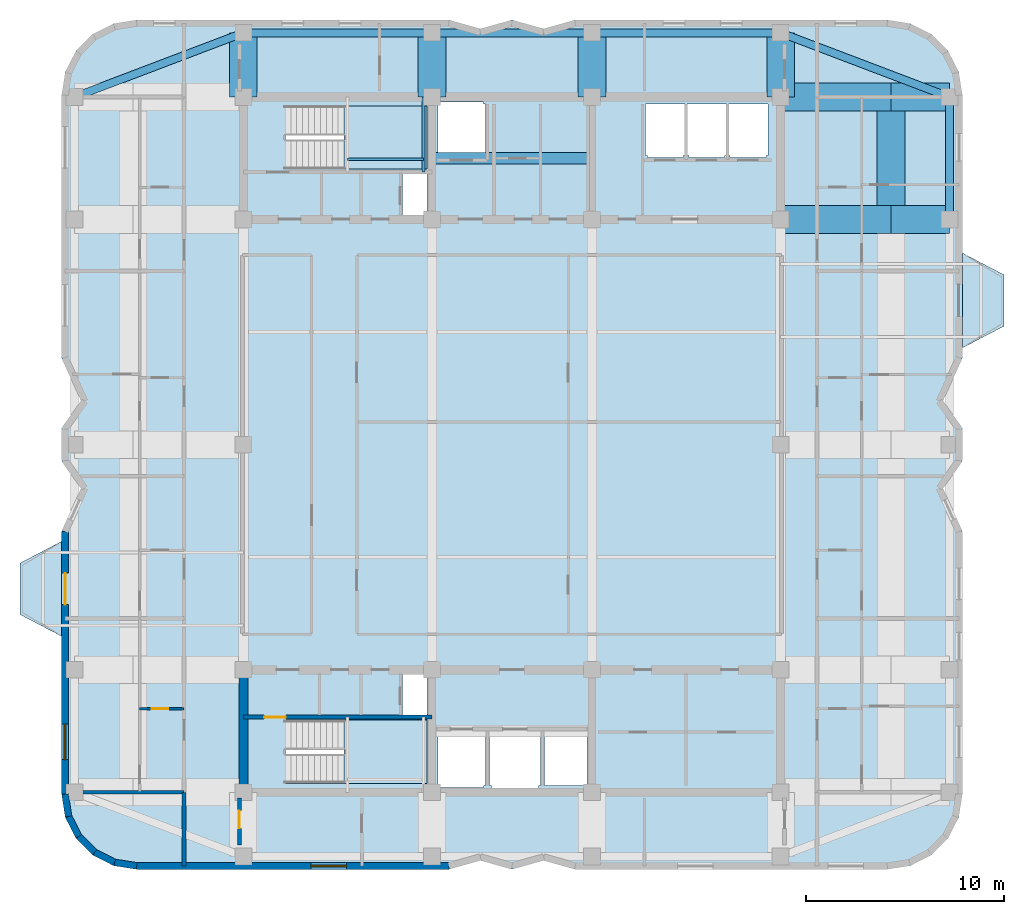
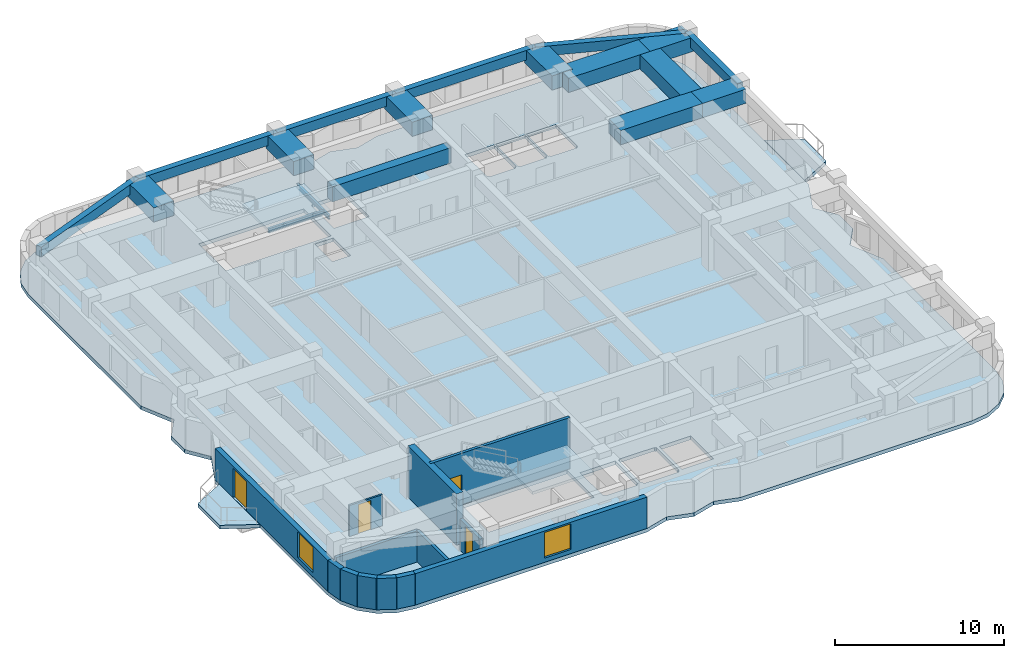
# One storey, part 2 of 9: 18 beams, 13 walls, 5 slabs, 4 doors, 2 windows, 6 openings, 2 elements without a shape of their own.
"""IFC4 building model written with IfcOpenShell, lengths in metres."""

from ifc_helpers import new_model, si_unit, direction, frame, frame_2d, origin, origin_2d, place, context, subcontext, project, spatial, polyline, rectangle, i_section, outline, extrude, material, layer, layer_set, material_profile, profile_set, type_object, element, fill, aggregate, save


model = new_model("IFC4")

# Units and contexts
model_context = context("Model", 3, precision=1e-05, world=origin(), true_north=direction((0.0, 1.0)))
body_context = subcontext(model_context, "Body", "Model", "MODEL_VIEW")
ifc_project = project(units=[si_unit("LENGTHUNIT", "METRE"), si_unit("AREAUNIT", "SQUARE_METRE"), si_unit("VOLUMEUNIT", "CUBIC_METRE"), si_unit("PLANEANGLEUNIT", "RADIAN"), si_unit("MASSUNIT", "GRAM", prefix="KILO")], contexts=[model_context])

# Site, building, storey
site_placement = place(None, origin())
site = spatial("IfcSite", under=ifc_project, at=site_placement, CompositionType="ELEMENT")
building_placement = place(site_placement, origin())
building = spatial("IfcBuilding", under=site, at=building_placement, Name="Svetorya Sky Lyceum", CompositionType="ELEMENT")
storey_placement = place(building_placement, frame((0.0, 0.0, 222.10009765625)))
storey = spatial("IfcBuildingStorey", under=building, at=storey_placement, Name="L55", CompositionType="ELEMENT", Elevation=222.10009765625)

# Beams
ifc_material_1 = material(Name="Concrete C60/75", Category="concrete")
ifc_material_profile_1 = material_profile(ifc_material_1, rectangle(XDim=0.60009765625, YDim=1.10009765625, at=origin_2d()), Name="RC COUPLING 600x1100")
ifc_profile_set_1 = profile_set([ifc_material_profile_1], Name="Concrete C60/75")
beam_type_1 = type_object("IfcBeamType", Name="BM-CPL-1100", PredefinedType="LINTEL", material=ifc_profile_set_1)
beam_1_placement = place(storey_placement, frame((35.14990234375, 42.699951171875, 2.75), z_axis=(1.0, 0.0, 0.0), x_axis=(0.0, 1.0, 0.0)))
element("IfcBeam", 1, at=beam_1_placement, inside=storey, type_object=beam_type_1, Name="L55 NC Core Coupling Beam", PredefinedType="LINTEL", context=body_context, shape_type="SweptSolid", body=[
    extrude(rectangle(XDim=0.60009765625, YDim=1.10009765625, at=origin_2d()), origin(), (0.0, 0.0, 1.0), 8.10009765625),
])
ifc_material_2 = material(Name="Concrete C50/60", Category="concrete")
ifc_material_profile_2 = material_profile(ifc_material_2, rectangle(XDim=0.39990234375, YDim=0.699951171875, at=origin_2d()), Name="RC SPANDREL 400x700")
ifc_profile_set_2 = profile_set([ifc_material_profile_2], Name="Concrete C50/60")
beam_type_2 = type_object("IfcBeamType", Name="BM-SPN-700", PredefinedType="SPANDREL", material=ifc_profile_set_2)
beam_2_placement = place(storey_placement, frame((25.60009765625, 49.050048828125, 2.949951171875), z_axis=(1.0, 0.0, 0.0), x_axis=(0.0, 1.0, 0.0)))
element("IfcBeam", 2, at=beam_2_placement, inside=storey, type_object=beam_type_2, Name="L55 North Spandrel 1", PredefinedType="SPANDREL", context=body_context, shape_type="SweptSolid", body=[
    extrude(rectangle(XDim=0.39990234375, YDim=0.699951171875, at=origin_2d()), origin(), (0.0, 0.0, 1.0), 9.5498046875),
])
beam_3_placement = place(storey_placement, frame((35.14990234375, 49.050048828125, 2.949951171875), z_axis=(1.0, 0.0, 0.0), x_axis=(0.0, 1.0, 0.0)))
element("IfcBeam", 3, at=beam_3_placement, inside=storey, type_object=beam_type_2, Name="L55 North Spandrel 2", PredefinedType="SPANDREL", context=body_context, shape_type="SweptSolid", body=[
    extrude(rectangle(XDim=0.39990234375, YDim=0.699951171875, at=origin_2d()), origin(), (0.0, 0.0, 1.0), 8.10009765625),
])
beam_4_placement = place(storey_placement, frame((43.25, 49.050048828125, 2.949951171875), z_axis=(1.0, 0.0, 0.0), x_axis=(0.0, 1.0, 0.0)))
element("IfcBeam", 4, at=beam_4_placement, inside=storey, type_object=beam_type_2, Name="L55 North Spandrel 3", PredefinedType="SPANDREL", context=body_context, shape_type="SweptSolid", body=[
    extrude(rectangle(XDim=0.39990234375, YDim=0.699951171875, at=origin_2d()), origin(), (0.0, 0.0, 1.0), 9.550048828125),
])
for number, where, z_axis, x_axis, name in (
    (5, (61.35009765625, 45.800048828125, 2.949951171875), (-0.934747947367, 0.355311518099, 0.0), (-0.355311518099, -0.934747947367, 0.0), "L55 Corner Spandrel 3"),
    (6, (17.050048828125, 45.800048828125, 2.949951171875), (0.934747947367, 0.355311518099, 0.0), (-0.355311518099, 0.934747947367, 0.0), "L55 Corner Spandrel 4"),
):
    element("IfcBeam", number, at=place(storey_placement, frame(where, z_axis=z_axis, x_axis=x_axis)), inside=storey, type_object=beam_type_2, Name=name, PredefinedType="SPANDREL", context=body_context, shape_type="SweptSolid", body=[
        extrude(rectangle(XDim=0.39990234375, YDim=0.699951171875, at=origin_2d()), origin(), (0.0, 0.0, 1.0), 9.14697265625),
    ])
beam_5_placement = place(storey_placement, frame((61.35009765625, 39.60009765625, 2.949951171875), z_axis=(0.0, 1.0, 0.0), x_axis=(-1.0, 0.0, 0.0)))
element("IfcBeam", 7, at=beam_5_placement, inside=storey, type_object=beam_type_2, Name="L55 East Spandrel 4", PredefinedType="SPANDREL", context=body_context, shape_type="SweptSolid", body=[
    extrude(rectangle(XDim=0.39990234375, YDim=0.699951171875, at=origin_2d()), origin(), (0.0, 0.0, 1.0), 6.199951171875),
])
ifc_material_3 = material(Name="Steel S355", Category="steel")
ifc_material_profile_3 = material_profile(ifc_material_3, i_section(OverallWidth=0.14990234375, OverallDepth=0.299072265625, WebThickness=0.006591796875, FlangeThickness=0.010498046875, at=origin_2d()), Name="GOST 30B2")
ifc_profile_set_3 = profile_set([ifc_material_profile_3], Name="Steel S355")
beam_type_3 = type_object("IfcBeamType", Name="BM-STL-30B2", PredefinedType="JOIST", material=ifc_profile_set_3)
beam_6_placement = place(storey_placement, frame((34.719970703125, 42.0, 1.50048828125), z_axis=(0.0, 1.0, 0.0), x_axis=(-1.0, 0.0, 0.0)))
element("IfcBeam", 8, at=beam_6_placement, inside=storey, type_object=beam_type_3, Name="L55 Stair ST-N Half-Landing Support Beam 63.2", PredefinedType="JOIST", context=body_context, shape_type="SweptSolid", body=[
    extrude(i_section(OverallWidth=0.14990234375, OverallDepth=0.299072265625, WebThickness=0.006591796875, FlangeThickness=0.010498046875, at=origin_2d()), origin(), (0.0, 0.0, 1.0), 3.800048828125),
])
beam_7_placement = place(storey_placement, frame((30.8798828125, 42.64990234375, 1.50048828125), z_axis=(1.0, 0.0, 0.0), x_axis=(0.0, 1.0, 0.0)))
element("IfcBeam", 9, at=beam_7_placement, inside=storey, type_object=beam_type_3, Name="L55 Stair ST-N Half-Landing Cross Tie 63", PredefinedType="JOIST", context=body_context, shape_type="SweptSolid", body=[
    extrude(i_section(OverallWidth=0.14990234375, OverallDepth=0.299072265625, WebThickness=0.006591796875, FlangeThickness=0.010498046875, at=origin_2d()), origin(), (0.0, 0.0, 1.0), 3.840087890625),
])
ifc_material_profile_4 = material_profile(ifc_material_1, rectangle(XDim=1.39990234375, YDim=1.02001953125, at=origin_2d()), Name="RC TRANSFER 1400x1020")
ifc_profile_set_4 = profile_set([ifc_material_profile_4], Name="Concrete C60/75")
beam_type_4 = type_object("IfcBeamType", Name="BM-TRF-1020", PredefinedType="BEAM", material=ifc_profile_set_4)
beam_8_placement = place(storey_placement, frame((52.800048828125, 39.60009765625, 2.789794921875), z_axis=(1.0, 0.0, 0.0), x_axis=(0.0, 1.0, 0.0)))
element("IfcBeam", 10, at=beam_8_placement, inside=storey, type_object=beam_type_4, Name="L55 East Inner Transfer Girder 4", PredefinedType="BEAM", context=body_context, shape_type="SweptSolid", body=[
    extrude(rectangle(XDim=1.39990234375, YDim=1.02001953125, at=origin_2d()), origin(), (0.0, 0.0, 1.0), 5.58984375),
])
beam_9_placement = place(storey_placement, frame((58.389892578125, 39.60009765625, 2.789794921875), z_axis=(1.0, 0.0, 0.0), x_axis=(0.0, 1.0, 0.0)))
element("IfcBeam", 11, at=beam_9_placement, inside=storey, type_object=beam_type_4, Name="L55 East Outer Transfer Girder 4", PredefinedType="BEAM", context=body_context, shape_type="SweptSolid", body=[
    extrude(rectangle(XDim=1.39990234375, YDim=1.02001953125, at=origin_2d()), origin(), (0.0, 0.0, 1.0), 2.960205078125),
])
beam_10_placement = place(storey_placement, frame((52.800048828125, 45.800048828125, 2.789794921875), z_axis=(1.0, 0.0, 0.0), x_axis=(0.0, 1.0, 0.0)))
element("IfcBeam", 12, at=beam_10_placement, inside=storey, type_object=beam_type_4, Name="L55 East Inner Transfer Girder 5", PredefinedType="BEAM", context=body_context, shape_type="SweptSolid", body=[
    extrude(rectangle(XDim=1.39990234375, YDim=1.02001953125, at=origin_2d()), origin(), (0.0, 0.0, 1.0), 5.58984375),
])
beam_11_placement = place(storey_placement, frame((58.389892578125, 45.800048828125, 2.789794921875), z_axis=(1.0, 0.0, 0.0), x_axis=(0.0, 1.0, 0.0)))
element("IfcBeam", 13, at=beam_11_placement, inside=storey, type_object=beam_type_4, Name="L55 East Outer Transfer Girder 5", PredefinedType="BEAM", context=body_context, shape_type="SweptSolid", body=[
    extrude(rectangle(XDim=1.39990234375, YDim=1.02001953125, at=origin_2d()), origin(), (0.0, 0.0, 1.0), 2.960205078125),
])
beam_12_placement = place(storey_placement, frame((58.389892578125, 39.60009765625, 2.789794921875), z_axis=(0.0, 1.0, 0.0), x_axis=(-1.0, 0.0, 0.0)))
element("IfcBeam", 14, at=beam_12_placement, inside=storey, type_object=beam_type_4, Name="L55 East Setback Transfer Girder 4", PredefinedType="BEAM", context=body_context, shape_type="SweptSolid", body=[
    extrude(rectangle(XDim=1.39990234375, YDim=1.02001953125, at=origin_2d()), origin(), (0.0, 0.0, 1.0), 6.199951171875),
])
for number, where, z_axis, x_axis, name in (
    (15, (25.60009765625, 45.800048828125, 2.789794921875), (0.0, 1.0, 0.0), (-1.0, 0.0, 0.0), "L55 North Edge Transfer Girder 1"),
    (16, (35.14990234375, 45.800048828125, 2.789794921875), (0.0, 1.0, 0.0), (-1.0, 0.0, 0.0), "L55 North Edge Transfer Girder 2"),
    (17, (43.25, 45.800048828125, 2.789794921875), (0.0, 1.0, 0.0), (-1.0, 0.0, 0.0), "L55 North Edge Transfer Girder 3"),
    (18, (52.800048828125, 45.800048828125, 2.789794921875), (0.0, 1.0, 0.0), (-1.0, 0.0, 0.0), "L55 North Edge Transfer Girder 4"),
):
    element("IfcBeam", number, at=place(storey_placement, frame(where, z_axis=z_axis, x_axis=x_axis)), inside=storey, type_object=beam_type_4, Name=name, PredefinedType="BEAM", context=body_context, shape_type="SweptSolid", body=[
        extrude(rectangle(XDim=1.39990234375, YDim=1.02001953125, at=origin_2d()), origin(), (0.0, 0.0, 1.0), 3.25),
    ])

# Slabs
ifc_material_4 = material(Name="Concrete C40/50", Category="concrete")
ifc_layer_1 = layer(ifc_material_4, 0.260009765625)
ifc_layer_set_1 = layer_set([ifc_layer_1], Name="Concrete C40/50")
slab_type_1 = type_object("IfcSlabType", Name="SL-BAL-260", PredefinedType="FLOOR", material=ifc_layer_set_1)
slab_1_placement = place(storey_placement, frame((0.0, 0.0, -0.260009765625)))
element("IfcSlab", 19, at=slab_1_placement, inside=storey, type_object=slab_type_1, Name="L55 Chamfered Loggia Balcony BAL-W1", PredefinedType="FLOOR", context=body_context, shape_type="SweptSolid", body=[
    extrude(outline(polyline([(16.389892578125, 18.5), (16.389892578125, 23.300048828125), (14.2900390625, 22.199951171875), (14.2900390625, 19.60009765625), (16.389892578125, 18.5)])), origin(), (0.0, 0.0, 1.0), 0.260009765625),
])
slab_2_placement = place(storey_placement, frame((0.0, 0.0, -0.260009765625)))
element("IfcSlab", 20, at=slab_2_placement, inside=storey, type_object=slab_type_1, Name="L55 Chamfered Loggia Balcony BAL-E1", PredefinedType="FLOOR", context=body_context, shape_type="SweptSolid", body=[
    extrude(outline(polyline([(62.010009765625, 33.10009765625), (64.110107421875, 34.199951171875), (64.110107421875, 36.800048828125), (62.010009765625, 37.89990234375), (62.010009765625, 33.10009765625)])), origin(), (0.0, 0.0, 1.0), 0.260009765625),
])

# Stair, slab
stair_type_1 = type_object("IfcStairType", Name="STR-ST-S", PredefinedType="HALF_TURN_STAIR", material=ifc_material_4)
stair_1_placement = place(storey_placement, origin())
stair_1 = element("IfcStair", 21, at=stair_1_placement, inside=storey, type_object=stair_type_1, Name="L55 South Core Smoke-Free Exit Stair N2", PredefinedType="HALF_TURN_STAIR")
ifc_layer_2 = layer(ifc_material_4, 0.199951171875)
ifc_layer_set_2 = layer_set([ifc_layer_2], Name="Concrete C40/50")
slab_type_2 = type_object("IfcSlabType", Name="SL-STR-LAND-200", PredefinedType="LANDING", material=ifc_layer_set_2)
slab_3_placement = place(storey_placement, frame((0.0, 0.0, 1.64990234375)))
slab_3 = element("IfcSlab", 22, at=slab_3_placement, type_object=slab_type_2, Name="ST-S landing 1", PredefinedType="LANDING", context=body_context, shape_type="SweptSolid", body=[
    extrude(outline(polyline([(30.699951171875, 11.050048828125), (34.89990234375, 11.050048828125), (34.89990234375, 14.25), (30.699951171875, 14.25), (30.699951171875, 11.050048828125)])), origin(), (0.0, 0.0, 1.0), 0.199951171875),
])
aggregate(stair_1, [slab_3])

stair_type_2 = type_object("IfcStairType", Name="STR-ST-N", PredefinedType="HALF_TURN_STAIR", material=ifc_material_4)
stair_2_placement = place(storey_placement, origin())
stair_2 = element("IfcStair", 23, at=stair_2_placement, inside=storey, type_object=stair_type_2, Name="L55 North Core Smoke-Free Exit Stair N3", PredefinedType="HALF_TURN_STAIR")
slab_4_placement = place(storey_placement, frame((0.0, 0.0, 1.64990234375)))
slab_4 = element("IfcSlab", 24, at=slab_4_placement, type_object=slab_type_2, Name="ST-N landing 1", PredefinedType="LANDING", context=body_context, shape_type="SweptSolid", body=[
    extrude(outline(polyline([(30.699951171875, 42.14990234375), (34.89990234375, 42.14990234375), (34.89990234375, 45.35009765625), (30.699951171875, 45.35009765625), (30.699951171875, 42.14990234375)])), origin(), (0.0, 0.0, 1.0), 0.199951171875),
])
aggregate(stair_2, [slab_4])

# Slab
ifc_layer_3 = layer(ifc_material_2, 0.260009765625)
ifc_layer_set_3 = layer_set([ifc_layer_3], Name="Concrete C50/60")
slab_type_3 = type_object("IfcSlabType", Name="SL-TWR-260", PredefinedType="FLOOR", material=ifc_layer_set_3)
slab_5_placement = place(storey_placement, frame((0.0, 0.0, -0.260009765625)))
element("IfcSlab", 25, at=slab_5_placement, inside=storey, type_object=slab_type_3, Name="L55 Structural Floor Slab", PredefinedType="FLOOR", context=body_context, shape_type="SweptSolid", body=[
    extrude(outline(polyline([(16.39990234375, 10.5), (16.5859375, 9.32568359375), (17.125732421875, 8.266357421875), (17.96630859375, 7.42578125), (19.025634765625, 6.885986328125), (20.199951171875, 6.699951171875), (36.0, 6.699951171875), (37.60009765625, 7.14990234375), (39.199951171875, 6.699951171875), (40.800048828125, 7.14990234375), (42.39990234375, 6.699951171875), (58.199951171875, 6.699951171875), (59.374267578125, 6.885986328125), (60.43359375, 7.42578125), (61.2744140625, 8.266357421875), (61.81396484375, 9.32568359375), (62.0, 10.5), (62.0, 23.800048828125), (61.0, 26.0), (62.0, 27.39990234375), (62.0, 29.0), (61.0, 30.39990234375), (62.0, 32.60009765625), (62.0, 45.89990234375), (61.81396484375, 47.07421875), (61.2744140625, 48.133544921875), (60.43359375, 48.974365234375), (59.374267578125, 49.513916015625), (58.199951171875, 49.699951171875), (42.39990234375, 49.699951171875), (40.800048828125, 49.25), (39.199951171875, 49.699951171875), (37.60009765625, 49.25), (36.0, 49.699951171875), (20.199951171875, 49.699951171875), (19.025634765625, 49.513916015625), (17.96630859375, 48.974365234375), (17.125732421875, 48.133544921875), (16.5859375, 47.07421875), (16.39990234375, 45.89990234375), (16.39990234375, 32.60009765625), (17.39990234375, 30.39990234375), (16.39990234375, 29.0), (16.39990234375, 27.39990234375), (17.39990234375, 26.0), (16.39990234375, 23.800048828125), (16.39990234375, 10.5)]), holes=[polyline([(37.85009765625, 10.949951171875), (37.75, 10.949951171875), (37.75, 10.85009765625), (35.550048828125, 10.85009765625), (35.550048828125, 10.949951171875), (35.449951171875, 10.949951171875), (35.449951171875, 13.64990234375), (35.550048828125, 13.64990234375), (37.75, 13.64990234375), (37.85009765625, 13.64990234375), (37.85009765625, 10.949951171875)]), polyline([(38.14990234375, 10.800048828125), (38.14990234375, 10.949951171875), (38.050048828125, 10.949951171875), (38.050048828125, 13.64990234375), (38.14990234375, 13.64990234375), (38.14990234375, 13.699951171875), (40.550048828125, 13.699951171875), (40.550048828125, 13.64990234375), (40.64990234375, 13.64990234375), (40.64990234375, 10.949951171875), (40.550048828125, 10.949951171875), (40.550048828125, 10.800048828125), (38.14990234375, 10.800048828125)]), polyline([(27.719970703125, 11.050048828125), (27.719970703125, 14.25), (34.89990234375, 14.25), (34.89990234375, 11.050048828125), (27.719970703125, 11.050048828125)]), polyline([(33.64990234375, 14.52001953125), (33.64990234375, 16.580078125), (34.89990234375, 16.580078125), (34.89990234375, 14.52001953125), (33.64990234375, 14.52001953125)]), polyline([(33.64990234375, 39.820068359375), (33.64990234375, 41.89990234375), (34.89990234375, 41.89990234375), (34.89990234375, 39.820068359375), (33.64990234375, 39.820068359375)]), polyline([(27.719970703125, 42.14990234375), (27.719970703125, 45.35009765625), (34.89990234375, 45.35009765625), (34.89990234375, 42.14990234375), (27.719970703125, 42.14990234375)]), polyline([(37.75, 42.75), (35.550048828125, 42.75), (35.449951171875, 42.75), (35.449951171875, 45.449951171875), (35.550048828125, 45.449951171875), (35.550048828125, 45.550048828125), (37.75, 45.550048828125), (37.75, 45.449951171875), (37.85009765625, 45.449951171875), (37.85009765625, 42.75), (37.75, 42.75)]), polyline([(40.85009765625, 10.949951171875), (40.85009765625, 13.64990234375), (43.0, 13.64990234375), (43.0, 10.949951171875), (40.85009765625, 10.949951171875)]), polyline([(46.050048828125, 42.75), (46.050048828125, 42.85009765625), (45.949951171875, 42.85009765625), (45.949951171875, 45.449951171875), (46.050048828125, 45.449951171875), (47.85009765625, 45.449951171875), (47.949951171875, 45.449951171875), (47.949951171875, 42.85009765625), (47.85009765625, 42.85009765625), (47.85009765625, 42.75), (46.050048828125, 42.75)]), polyline([(50.050048828125, 42.85009765625), (49.949951171875, 42.85009765625), (49.949951171875, 42.75), (48.14990234375, 42.75), (48.14990234375, 42.85009765625), (48.050048828125, 42.85009765625), (48.050048828125, 45.449951171875), (48.14990234375, 45.449951171875), (49.949951171875, 45.449951171875), (50.050048828125, 45.449951171875), (50.050048828125, 42.85009765625)]), polyline([(52.14990234375, 42.85009765625), (52.050048828125, 42.85009765625), (52.050048828125, 42.75), (50.25, 42.75), (50.25, 42.85009765625), (50.14990234375, 42.85009765625), (50.14990234375, 45.449951171875), (50.25, 45.449951171875), (52.050048828125, 45.449951171875), (52.14990234375, 45.449951171875), (52.14990234375, 42.85009765625)])]), origin(), (0.0, 0.0, 1.0), 0.260009765625),
])

# Walls
ifc_layer_4 = layer(ifc_material_2, 0.449951171875)
ifc_layer_set_4 = layer_set([ifc_layer_4], Name="Concrete C50/60")
wall_type_1 = type_object("IfcWallType", Name="WL-CORE-450", PredefinedType="SHEAR", material=ifc_layer_set_4)
wall_1_placement = place(storey_placement, frame((25.60009765625, 10.824951171875, 0.0), z_axis=(0.0, 0.0, 1.0), x_axis=(0.0, 1.0, 0.0)))
element("IfcWall", 26, at=wall_1_placement, inside=storey, type_object=wall_type_1, Name="L55 SC West Core Shear Wall", PredefinedType="SHEAR", context=body_context, shape_type="SweptSolid", body=[
    extrude(rectangle(XDim=5.75, YDim=0.449951171875, at=frame_2d((2.875, 0.0))), origin(), (0.0, 0.0, 1.0), 3.699951171875),
])
ifc_material_5 = material(Name="Putilovo limestone rainscreen on autoclaved cellular masonry", Category="masonry")
ifc_layer_5 = layer(ifc_material_5, 0.340087890625)
ifc_layer_set_5 = layer_set([ifc_layer_5], Name="Putilovo limestone rainscreen on autoclaved cellular masonry")
wall_type_2 = type_object("IfcWallType", Name="WL-EXT-340", PredefinedType="SOLIDWALL", material=ifc_layer_set_5)
wall_2_placement = place(storey_placement, frame((16.570068359375, 10.5, 0.0), z_axis=(0.0, 0.0, 1.0), x_axis=(0.156514556949, -0.987675651954, 0.0)))
element("IfcWall", 27, at=wall_2_placement, inside=storey, type_object=wall_type_2, Name="L55 Limestone Exterior Wall 1M", PredefinedType="SOLIDWALL", context=body_context, shape_type="SweptSolid", body=[
    extrude(rectangle(XDim=1.135498046875, YDim=0.340087890625, at=frame_2d((0.56787109375, 0.0))), origin(), (0.0, 0.0, 1.0), 2.260009765625),
])
for number, where, z_axis, x_axis, name in (
    (28, (16.747802734375, 9.37841796875, 0.0), (0.0, 0.0, 1.0), (0.45373580117, -0.891136253744, 0.0), "L55 Limestone Exterior Wall 2M"),
    (29, (17.26318359375, 8.3662109375, 0.0), (0.0, 0.0, 1.0), (0.707214252388, -0.706999293649, 0.0), "L55 Limestone Exterior Wall 3M"),
    (30, (18.06640625, 7.563232421875, 0.0), (0.0, 0.0, 1.0), (0.891005044957, -0.453993402883, 0.0), "L55 Limestone Exterior Wall 4M"),
):
    element("IfcWall", number, at=place(storey_placement, frame(where, z_axis=z_axis, x_axis=x_axis)), inside=storey, type_object=wall_type_2, Name=name, PredefinedType="SOLIDWALL", context=body_context, shape_type="SweptSolid", body=[
        extrude(rectangle(XDim=1.1357421875, YDim=0.340087890625, at=frame_2d((0.56787109375, 0.0))), origin(), (0.0, 0.0, 1.0), 2.260009765625),
    ])
wall_3_placement = place(storey_placement, frame((19.078369140625, 7.047607421875, 0.0), z_axis=(0.0, 0.0, 1.0), x_axis=(0.987708865555, -0.156304820474, 0.0)))
element("IfcWall", 31, at=wall_3_placement, inside=storey, type_object=wall_type_2, Name="L55 Limestone Exterior Wall 5M", PredefinedType="SOLIDWALL", context=body_context, shape_type="SweptSolid", body=[
    extrude(rectangle(XDim=1.135498046875, YDim=0.340087890625, at=frame_2d((0.56787109375, 0.0))), origin(), (0.0, 0.0, 1.0), 2.260009765625),
])

# Wall, opening, window
wall_4_placement = place(storey_placement, frame((20.199951171875, 6.8701171875, 0.0), z_axis=(0.0, 0.0, 1.0), x_axis=(1.0, 0.0, 0.0)))
wall_4 = element("IfcWall", 32, at=wall_4_placement, inside=storey, type_object=wall_type_2, Name="L55 Limestone Exterior Wall 6M", PredefinedType="SOLIDWALL", context=body_context, shape_type="SweptSolid", body=[
    extrude(rectangle(XDim=15.800048828125, YDim=0.340087890625, at=frame_2d((7.89990234375, 0.0))), origin(), (0.0, 0.0, 1.0), 2.260009765625),
])
opening_1_placement = place(wall_4_placement, frame((8.8125, 0.0, 0.300048828125)))
opening_1 = element("IfcOpeningElement", 33, at=opening_1_placement, cuts=wall_4, Name="Opening W-R1", PredefinedType="OPENING", context=body_context, shape_type="SweptSolid", body=[
    extrude(rectangle(XDim=1.800048828125, YDim=1.85009765625, at=frame_2d((0.89990234375, 0.925048828125))), frame((0.0, 0.179931640625, 0.0), z_axis=(0.0, -1.0, 0.0), x_axis=(1.0, 0.0, 0.0)), (0.0, 0.0, 1.0), 0.360107421875),
])
ifc_material_6 = material(Name="Thermally broken aluminium frame with triple low-E glazing", Category="aluminium")
window_type = type_object("IfcWindowType", Name="WN-RES-180", PartitioningType="DOUBLE_PANEL_VERTICAL", PredefinedType="WINDOW", material=ifc_material_6)
window_1_placement = place(opening_1_placement, origin())
window_1 = element("IfcWindow", 34, at=window_1_placement, inside=storey, type_object=window_type, Name="L55 Facade Window W-R1.6M.1", OverallHeight=1.85009765625, OverallWidth=1.800048828125, PartitioningType="SINGLE_PANEL", PredefinedType="WINDOW", context=body_context, shape_type="SweptSolid", body=[
    extrude(rectangle(XDim=1.800048828125, YDim=1.85009765625, at=frame_2d((0.89990234375, 0.925048828125))), frame((0.0, 0.030029296875, 0.0), z_axis=(0.0, -1.0, 0.0), x_axis=(1.0, 0.0, 0.0)), (0.0, 0.0, 1.0), 0.06005859375),
])
fill(opening_1, window_1)

# Wall, openings, door, window
wall_5_placement = place(storey_placement, frame((16.570068359375, 23.800048828125, 0.0), z_axis=(0.0, 0.0, 1.0), x_axis=(0.0, -1.0, 0.0)))
wall_5 = element("IfcWall", 35, at=wall_5_placement, inside=storey, type_object=wall_type_2, Name="L55 Limestone Exterior Wall 46M", PredefinedType="SOLIDWALL", context=body_context, shape_type="SweptSolid", body=[
    extrude(rectangle(XDim=13.300048828125, YDim=0.340087890625, at=frame_2d((6.64990234375, 0.0))), origin(), (0.0, 0.0, 1.0), 2.260009765625),
])
opening_2_placement = place(wall_5_placement, frame((2.10009765625, 0.0, 0.0)))
opening_2 = element("IfcOpeningElement", 36, at=opening_2_placement, cuts=wall_5, Name="Opening D-BL1", PredefinedType="OPENING", context=body_context, shape_type="SweptSolid", body=[
    extrude(rectangle(XDim=1.60009765625, YDim=2.10009765625, at=frame_2d((0.800048828125, 1.050048828125))), frame((0.0, 0.179931640625, 0.0), z_axis=(0.0, -1.0, 0.0), x_axis=(1.0, 0.0, 0.0)), (0.0, 0.0, 1.0), 0.360107421875),
])
opening_3_placement = place(wall_5_placement, frame((9.75, 0.0, 0.300048828125)))
opening_3 = element("IfcOpeningElement", 37, at=opening_3_placement, cuts=wall_5, Name="Opening W-R1", PredefinedType="OPENING", context=body_context, shape_type="SweptSolid", body=[
    extrude(rectangle(XDim=1.800048828125, YDim=1.85009765625, at=frame_2d((0.89990234375, 0.925048828125))), frame((0.0, 0.179931640625, 0.0), z_axis=(0.0, -1.0, 0.0), x_axis=(1.0, 0.0, 0.0)), (0.0, 0.0, 1.0), 0.360107421875),
])
ifc_material_7 = material(Name="Insulated glazed aluminium balcony door", Category="aluminium")
door_type_1 = type_object("IfcDoorType", Name="DR-BAL-1600", OperationType="DOUBLE_DOOR_SINGLE_SWING", PredefinedType="DOOR", material=ifc_material_7)
door_1_placement = place(opening_2_placement, origin())
door_1 = element("IfcDoor", 38, at=door_1_placement, inside=storey, type_object=door_type_1, Name="L55 Balcony BAL-W1 Door", OperationType="DOUBLE_DOOR_SINGLE_SWING", OverallHeight=2.10009765625, OverallWidth=1.60009765625, PredefinedType="DOOR", context=body_context, shape_type="SweptSolid", body=[
    extrude(rectangle(XDim=1.60009765625, YDim=2.10009765625, at=frame_2d((0.800048828125, 1.050048828125))), frame((0.0, 0.02490234375, 0.0), z_axis=(0.0, -1.0, 0.0), x_axis=(1.0, 0.0, 0.0)), (0.0, 0.0, 1.0), 0.050048828125),
])
fill(opening_2, door_1)
window_2_placement = place(opening_3_placement, origin())
window_2 = element("IfcWindow", 39, at=window_2_placement, inside=storey, type_object=window_type, Name="L55 Facade Window W-R1.46M.1", OverallHeight=1.85009765625, OverallWidth=1.800048828125, PartitioningType="SINGLE_PANEL", PredefinedType="WINDOW", context=body_context, shape_type="SweptSolid", body=[
    extrude(rectangle(XDim=1.800048828125, YDim=1.85009765625, at=frame_2d((0.89990234375, 0.925048828125))), frame((0.0, 0.030029296875, 0.0), z_axis=(0.0, -1.0, 0.0), x_axis=(1.0, 0.0, 0.0)), (0.0, 0.0, 1.0), 0.06005859375),
])
fill(opening_3, window_2)

# Wall, opening, door
ifc_material_8 = material(Name="Twin-stud galvanized framing with double fireboard", Category="gypsum")
ifc_layer_6 = layer(ifc_material_8, 0.1201171875)
ifc_layer_set_6 = layer_set([ifc_layer_6], Name="Twin-stud galvanized framing with double fireboard")
wall_type_3 = type_object("IfcWallType", Name="WL-PART-120", PredefinedType="PARTITIONING", material=ifc_layer_set_6)
wall_6_placement = place(storey_placement, frame((20.35009765625, 14.820068359375, 0.0), z_axis=(0.0, 0.0, 1.0), x_axis=(1.0, 0.0, 0.0)))
wall_6 = element("IfcWall", 40, at=wall_6_placement, inside=storey, type_object=wall_type_3, Name="L55 Interior Partition W1-WH1", PredefinedType="PARTITIONING", context=body_context, shape_type="SweptSolid", body=[
    extrude(rectangle(XDim=2.25, YDim=0.1201171875, at=frame_2d((1.125, 0.0))), origin(), (0.0, 0.0, 1.0), 2.239990234375),
])
opening_4_placement = place(wall_6_placement, frame((0.60009765625, 0.0, 0.0)))
opening_4 = element("IfcOpeningElement", 41, at=opening_4_placement, cuts=wall_6, Name="Opening D-BT1", PredefinedType="OPENING", context=body_context, shape_type="SweptSolid", body=[
    extrude(rectangle(XDim=0.85009765625, YDim=2.10009765625, at=frame_2d((0.425048828125, 1.050048828125))), frame((0.0, 0.070068359375, 0.0), z_axis=(0.0, -1.0, 0.0), x_axis=(1.0, 0.0, 0.0)), (0.0, 0.0, 1.0), 0.14013671875),
])
ifc_material_9 = material(Name="Moisture-resistant laminate bathroom door")
door_type_2 = type_object("IfcDoorType", Name="DR-WET-850", OperationType="SINGLE_SWING_LEFT", PredefinedType="DOOR", material=ifc_material_9)
door_2_placement = place(opening_4_placement, origin())
door_2 = element("IfcDoor", 42, at=door_2_placement, inside=storey, type_object=door_type_2, Name="Apartment W1 Bathroom Door", OperationType="SINGLE_SWING_LEFT", OverallHeight=2.10009765625, OverallWidth=0.85009765625, PredefinedType="DOOR", context=body_context, shape_type="SweptSolid", body=[
    extrude(rectangle(XDim=0.85009765625, YDim=2.10009765625, at=frame_2d((0.425048828125, 1.050048828125))), frame((0.0, 0.02490234375, 0.0), z_axis=(0.0, -1.0, 0.0), x_axis=(1.0, 0.0, 0.0)), (0.0, 0.0, 1.0), 0.050048828125),
])
fill(opening_4, door_2)

# Walls
ifc_material_10 = material(Name="Autoclaved cellular masonry blockwork with gypsum plaster", Category="masonry")
ifc_layer_7 = layer(ifc_material_10, 0.199951171875)
ifc_layer_set_7 = layer_set([ifc_layer_7], Name="Autoclaved cellular masonry blockwork with gypsum plaster")
wall_type_4 = type_object("IfcWallType", Name="WL-PART-200", PredefinedType="PARTITIONING", material=ifc_layer_set_7)
wall_7_placement = place(storey_placement, frame((16.989990234375, 10.60009765625, 0.0), z_axis=(0.0, 0.0, 1.0), x_axis=(1.0, 0.0, 0.0)))
element("IfcWall", 43, at=wall_7_placement, inside=storey, type_object=wall_type_4, Name="L55 Interior Partition W-CAP-S", PredefinedType="PARTITIONING", context=body_context, shape_type="SweptSolid", body=[
    extrude(rectangle(XDim=5.610107421875, YDim=0.199951171875, at=frame_2d((2.80517578125, 0.0))), origin(), (0.0, 0.0, 1.0), 2.239990234375),
])
wall_8_placement = place(storey_placement, frame((22.60009765625, 6.8701171875, 0.0), z_axis=(0.0, 0.0, 1.0), x_axis=(0.0, 1.0, 0.0)))
element("IfcWall", 44, at=wall_8_placement, inside=storey, type_object=wall_type_4, Name="L55 Interior Partition WC-SW-END", PredefinedType="PARTITIONING", context=body_context, shape_type="SweptSolid", body=[
    extrude(rectangle(XDim=3.72998046875, YDim=0.199951171875, at=frame_2d((1.864990234375, 0.0))), origin(), (0.0, 0.0, 1.0), 2.239990234375),
])

# Wall, opening, door
wall_9_placement = place(storey_placement, frame((25.39990234375, 7.919921875, 0.0), z_axis=(0.0, 0.0, 1.0), x_axis=(0.0, 1.0, 0.0)))
wall_9 = element("IfcWall", 45, at=wall_9_placement, inside=storey, type_object=wall_type_4, Name="L55 Interior Partition S-EW", PredefinedType="PARTITIONING", context=body_context, shape_type="SweptSolid", body=[
    extrude(rectangle(XDim=2.380126953125, YDim=0.199951171875, at=frame_2d((1.18994140625, 0.0))), origin(), (0.0, 0.0, 1.0), 2.239990234375),
])
opening_5_placement = place(wall_9_placement, frame((0.85009765625, 0.0, 0.0)))
opening_5 = element("IfcOpeningElement", 46, at=opening_5_placement, cuts=wall_9, Name="Opening D-RM1", PredefinedType="OPENING", context=body_context, shape_type="SweptSolid", body=[
    extrude(rectangle(XDim=0.89990234375, YDim=2.10009765625, at=frame_2d((0.449951171875, 1.050048828125))), frame((0.0, 0.10986328125, 0.0), z_axis=(0.0, -1.0, 0.0), x_axis=(1.0, 0.0, 0.0)), (0.0, 0.0, 1.0), 0.219970703125),
])
ifc_material_11 = material(Name="Lacquered birch veneer internal door")
door_type_3 = type_object("IfcDoorType", Name="DR-INT-900", OperationType="SINGLE_SWING_LEFT", PredefinedType="DOOR", material=ifc_material_11)
door_3_placement = place(opening_5_placement, origin())
door_3 = element("IfcDoor", 47, at=door_3_placement, inside=storey, type_object=door_type_3, Name="L55 South Study Door", OperationType="SINGLE_SWING_LEFT", OverallHeight=2.10009765625, OverallWidth=0.89990234375, PredefinedType="DOOR", context=body_context, shape_type="SweptSolid", body=[
    extrude(rectangle(XDim=0.89990234375, YDim=2.10009765625, at=frame_2d((0.449951171875, 1.050048828125))), frame((0.0, 0.02490234375, 0.0), z_axis=(0.0, -1.0, 0.0), x_axis=(1.0, 0.0, 0.0)), (0.0, 0.0, 1.0), 0.050048828125),
])
fill(opening_5, door_3)

ifc_layer_8 = layer(ifc_material_2, 0.199951171875)
ifc_layer_set_8 = layer_set([ifc_layer_8], Name="Concrete C50/60")
wall_type_5 = type_object("IfcWallType", Name="WL-SHW-200", PredefinedType="SHEAR", material=ifc_layer_set_8)
wall_10_placement = place(storey_placement, frame((25.60009765625, 14.39990234375, 0.0), z_axis=(0.0, 0.0, 1.0), x_axis=(1.0, 0.0, 0.0)))
wall_10 = element("IfcWall", 48, at=wall_10_placement, inside=storey, type_object=wall_type_5, Name="L55 Structural Stair Shaft Wall SC-STW", PredefinedType="SHEAR", context=body_context, shape_type="SweptSolid", body=[
    extrude(rectangle(XDim=9.5498046875, YDim=0.199951171875, at=frame_2d((4.77490234375, 0.0))), origin(), (0.0, 0.0, 1.0), 3.699951171875),
])
opening_6_placement = place(wall_10_placement, frame((1.050048828125, 0.0, 0.0)))
opening_6 = element("IfcOpeningElement", 49, at=opening_6_placement, cuts=wall_10, Name="Opening D-ST1", PredefinedType="OPENING", context=body_context, shape_type="SweptSolid", body=[
    extrude(rectangle(XDim=1.10009765625, YDim=2.14990234375, at=frame_2d((0.550048828125, 1.074951171875))), frame((0.0, 0.10986328125, 0.0), z_axis=(0.0, -1.0, 0.0), x_axis=(1.0, 0.0, 0.0)), (0.0, 0.0, 1.0), 0.219970703125),
])
ifc_material_12 = material(Name="Powder-coated insulated galvanized stair fire door")
door_type_4 = type_object("IfcDoorType", Name="DR-FIRE-1100", OperationType="SINGLE_SWING_LEFT", PredefinedType="DOOR", material=ifc_material_12)
door_4_placement = place(opening_6_placement, origin())
door_4 = element("IfcDoor", 50, at=door_4_placement, inside=storey, type_object=door_type_4, Name="L55 Stair ST-S Vestibule Fire Door", OperationType="SINGLE_SWING_LEFT", OverallHeight=2.14990234375, OverallWidth=1.10009765625, PredefinedType="DOOR", context=body_context, shape_type="SweptSolid", body=[
    extrude(rectangle(XDim=1.10009765625, YDim=2.14990234375, at=frame_2d((0.550048828125, 1.074951171875))), frame((0.0, 0.02490234375, 0.0), z_axis=(0.0, -1.0, 0.0), x_axis=(1.0, 0.0, 0.0)), (0.0, 0.0, 1.0), 0.050048828125),
])
fill(opening_6, door_4)

save(model, "model.ifc")
